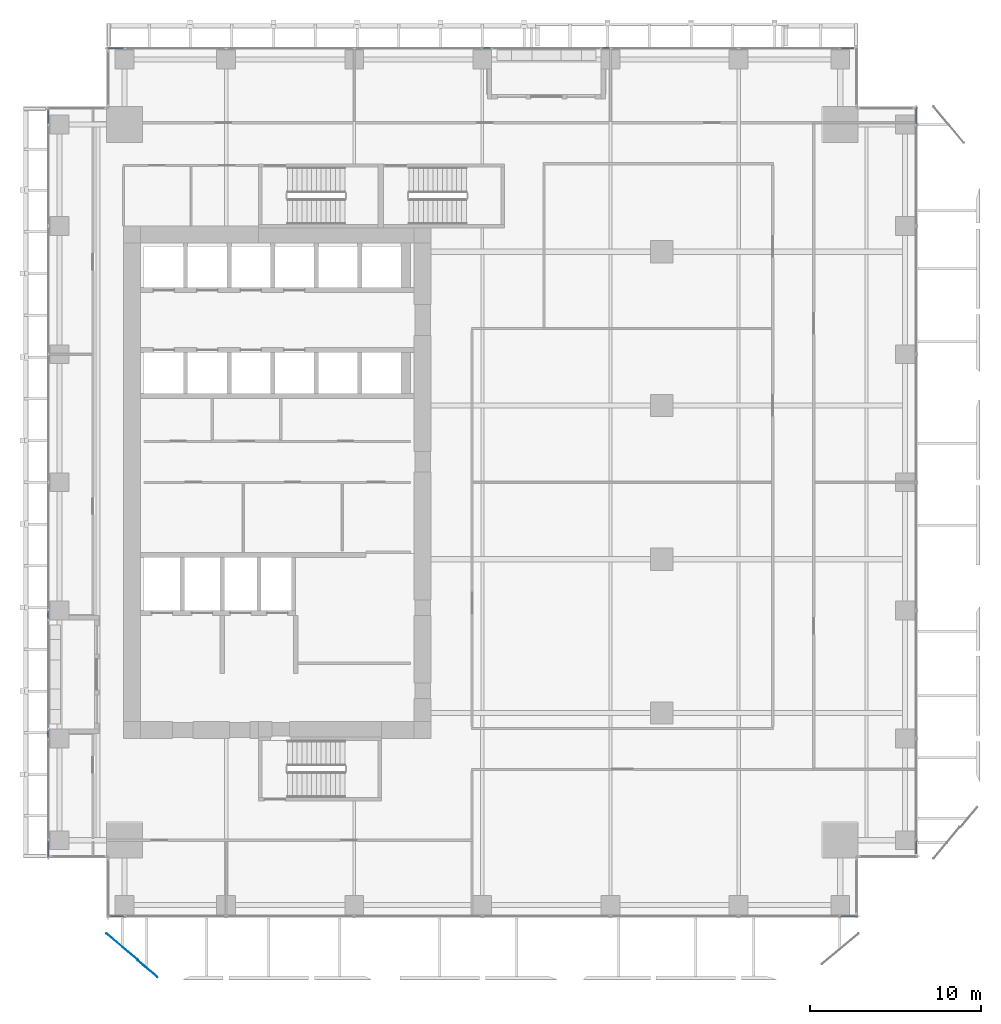
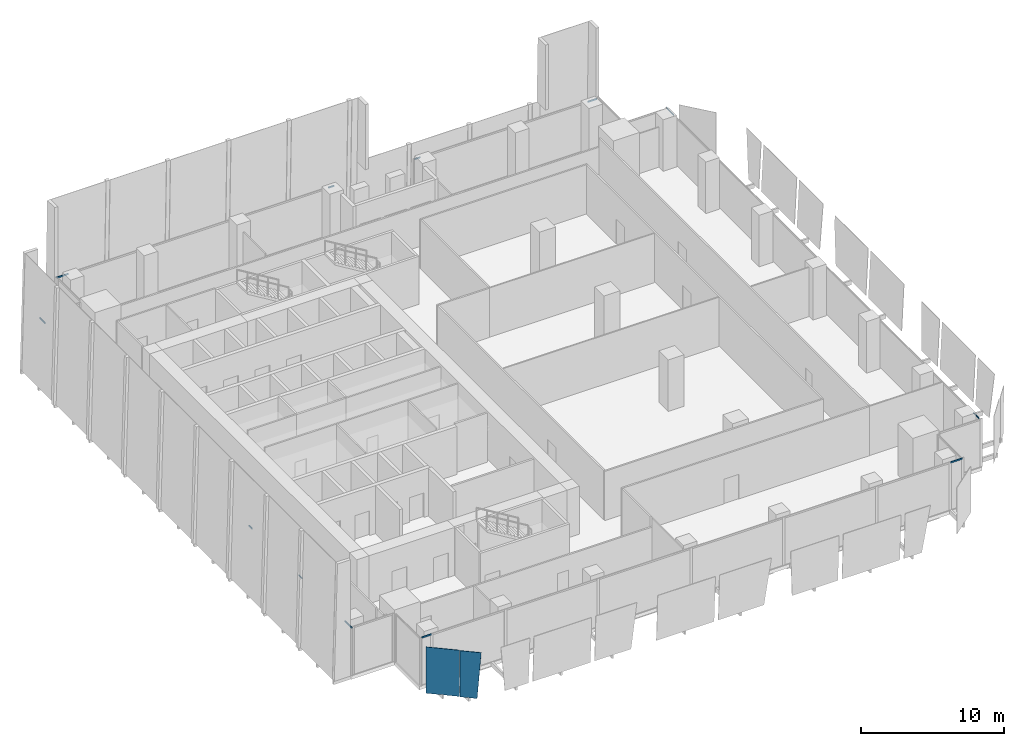
# One storey, part 22 of 34: 12 members, 2 plates, 6 elements without a shape of their own.
"""IFC4 building model written with IfcOpenShell, lengths in metres."""

from ifc_helpers import new_model, si_unit, direction, frame, origin, origin_2d, place, context, subcontext, project, spatial, polyline, hollow_rectangle, outline, extrude, source, transform, mapped, material, layer, layer_set, material_profile, profile_set, type_object, element, aggregate, save


model = new_model("IFC4")

# Units and contexts
model_context = context("Model", 3, precision=1e-05, world=origin(), true_north=direction((0.0, 1.0)))
body_context = subcontext(model_context, "Body", "Model", "MODEL_VIEW")
ifc_project = project(units=[si_unit("LENGTHUNIT", "METRE"), si_unit("AREAUNIT", "SQUARE_METRE"), si_unit("VOLUMEUNIT", "CUBIC_METRE"), si_unit("PLANEANGLEUNIT", "RADIAN"), si_unit("MASSUNIT", "GRAM", prefix="KILO")], contexts=[model_context])

# Site, building, storey
site_placement = place(None, origin())
site = spatial("IfcSite", under=ifc_project, at=site_placement, CompositionType="ELEMENT")
building_placement = place(site_placement, origin())
building = spatial("IfcBuilding", under=site, at=building_placement, Name="Khomas Fold Tower", CompositionType="ELEMENT")
storey_placement = place(building_placement, frame((0.0, 0.0, 154.300048828125)))
storey = spatial("IfcBuildingStorey", under=building, at=storey_placement, Name="L33", CompositionType="ELEMENT", Elevation=154.300048828125)

# Curtain wall, member
ifc_material_1 = material(Name="Aluminium framed double glazing", Category="aluminium")
curtain_wall_type = type_object("IfcCurtainWallType", Name="SK-Unitised clear-glass wall, growing floors CW1", PredefinedType="NOTDEFINED", material=ifc_material_1)
curtain_wall_1_placement = place(storey_placement, origin())
curtain_wall_1 = element("IfcCurtainWall", 1, at=curtain_wall_1_placement, inside=storey, type_object=curtain_wall_type, Name="CW1 run L33 00-0", PredefinedType="NOTDEFINED")
ifc_material_2 = material(Name="Aluminium", Category="aluminium")
ifc_material_profile = material_profile(ifc_material_2, hollow_rectangle(XDim=0.06005859375, YDim=0.1201171875, WallThickness=0.00390625, at=origin_2d()), Name="SK-Unitised clear-glass wall, growing floors transom CW1-T")
ifc_profile_set = profile_set([ifc_material_profile], Name="Aluminium")
member_type = type_object("IfcMemberType", Name="SK-Unitised clear-glass wall, growing floors transom CW1-T", PredefinedType="USERDEFINED", material=ifc_profile_set)
shared_shape_1 = source(origin(), body_context, "Body", "SweptSolid", [
    extrude(hollow_rectangle(XDim=0.06005859375, YDim=0.1201171875, WallThickness=0.00390625, at=origin_2d()), origin(), (0.0, 0.0, 1.0), 0.760009765625),
])
member_1_placement = place(storey_placement, frame((5.260009765625, 1.60009765625, 4.0400390625), z_axis=(1.0, 0.0, 0.0), x_axis=(0.0, 1.0, 0.0)))
member_1 = element("IfcMember", 2, at=member_1_placement, type_object=member_type, Name="CW1 transom 1", ObjectType="TRANSOM", PredefinedType="USERDEFINED", context=body_context, shape_type="MappedRepresentation", body=[
    mapped(shared_shape_1, transform((0.0, 0.0, 0.0))),
])

curtain_wall_2_placement = place(storey_placement, origin())
curtain_wall_2 = element("IfcCurtainWall", 3, at=curtain_wall_2_placement, inside=storey, type_object=curtain_wall_type, Name="CW1 run L33 03-0", PredefinedType="NOTDEFINED")
member_2_placement = place(storey_placement, frame((52.39990234375, 5.260009765625, 4.0400390625), z_axis=(0.0, 1.0, 0.0), x_axis=(-1.0, 0.0, 0.0)))
member_2 = element("IfcMember", 4, at=member_2_placement, type_object=member_type, Name="CW1 transom 1", ObjectType="TRANSOM", PredefinedType="USERDEFINED", context=body_context, shape_type="MappedRepresentation", body=[
    mapped(shared_shape_1, transform((0.0, 0.0, 0.0))),
])

curtain_wall_3_placement = place(storey_placement, origin())
curtain_wall_3 = element("IfcCurtainWall", 5, at=curtain_wall_3_placement, inside=storey, type_object=curtain_wall_type, Name="CW1 run L33 06-0", PredefinedType="NOTDEFINED")
member_3_placement = place(storey_placement, frame((48.739990234375, 52.39990234375, 4.0400390625), z_axis=(-1.0, 0.0, 0.0), x_axis=(0.0, -1.0, 0.0)))
member_3 = element("IfcMember", 6, at=member_3_placement, type_object=member_type, Name="CW1 transom 1", ObjectType="TRANSOM", PredefinedType="USERDEFINED", context=body_context, shape_type="MappedRepresentation", body=[
    mapped(shared_shape_1, transform((0.0, 0.0, 0.0))),
])

curtain_wall_4_placement = place(storey_placement, origin())
curtain_wall_4 = element("IfcCurtainWall", 7, at=curtain_wall_4_placement, inside=storey, type_object=curtain_wall_type, Name="CW1 run L33 09-0", PredefinedType="NOTDEFINED")
member_4_placement = place(storey_placement, frame((1.60009765625, 48.739990234375, 4.0400390625), z_axis=(0.0, -1.0, 0.0), x_axis=(1.0, 0.0, 0.0)))
member_4 = element("IfcMember", 8, at=member_4_placement, type_object=member_type, Name="CW1 transom 1", ObjectType="TRANSOM", PredefinedType="USERDEFINED", context=body_context, shape_type="MappedRepresentation", body=[
    mapped(shared_shape_1, transform((0.0, 0.0, 0.0))),
])

# Member
shared_shape_2 = source(origin(), body_context, "Body", "SweptSolid", [
    extrude(hollow_rectangle(XDim=0.06005859375, YDim=0.1201171875, WallThickness=0.00390625, at=origin_2d()), origin(), (0.0, 0.0, 1.0), 0.9599609375),
])
member_5_placement = place(storey_placement, frame((47.97998046875, 1.60009765625, 4.0400390625), z_axis=(1.0, 0.0, 0.0), x_axis=(0.0, 1.0, 0.0)))
member_5 = element("IfcMember", 9, at=member_5_placement, type_object=member_type, Name="CW1 transom 8", ObjectType="TRANSOM", PredefinedType="USERDEFINED", context=body_context, shape_type="MappedRepresentation", body=[
    mapped(shared_shape_2, transform((0.0, 0.0, 0.0))),
])

aggregate(curtain_wall_1, [member_1, member_5])

member_6_placement = place(storey_placement, frame((52.39990234375, 47.97998046875, 4.0400390625), z_axis=(0.0, 1.0, 0.0), x_axis=(-1.0, 0.0, 0.0)))
member_6 = element("IfcMember", 10, at=member_6_placement, type_object=member_type, Name="CW1 transom 8", ObjectType="TRANSOM", PredefinedType="USERDEFINED", context=body_context, shape_type="MappedRepresentation", body=[
    mapped(shared_shape_2, transform((0.0, 0.0, 0.0))),
])

aggregate(curtain_wall_2, [member_2, member_6])

# Curtain wall, member
curtain_wall_5_placement = place(storey_placement, origin())
curtain_wall_5 = element("IfcCurtainWall", 11, at=curtain_wall_5_placement, inside=storey, type_object=curtain_wall_type, Name="CW1 run L33 06-1", PredefinedType="NOTDEFINED")
member_7_placement = place(storey_placement, frame((6.02001953125, 52.39990234375, 4.0400390625), z_axis=(-1.0, 0.0, 0.0), x_axis=(0.0, -1.0, 0.0)))
member_7 = element("IfcMember", 12, at=member_7_placement, type_object=member_type, Name="CW1 transom 5", ObjectType="TRANSOM", PredefinedType="USERDEFINED", context=body_context, shape_type="MappedRepresentation", body=[
    mapped(shared_shape_2, transform((0.0, 0.0, 0.0))),
])

curtain_wall_6_placement = place(storey_placement, origin())
curtain_wall_6 = element("IfcCurtainWall", 13, at=curtain_wall_6_placement, inside=storey, type_object=curtain_wall_type, Name="CW1 run L33 09-1", PredefinedType="NOTDEFINED")
member_8_placement = place(storey_placement, frame((1.60009765625, 6.02001953125, 4.0400390625), z_axis=(0.0, -1.0, 0.0), x_axis=(1.0, 0.0, 0.0)))
member_8 = element("IfcMember", 14, at=member_8_placement, type_object=member_type, Name="CW1 transom 3", ObjectType="TRANSOM", PredefinedType="USERDEFINED", context=body_context, shape_type="MappedRepresentation", body=[
    mapped(shared_shape_2, transform((0.0, 0.0, 0.0))),
])

# Member
shared_shape_3 = source(origin(), body_context, "Body", "SweptSolid", [
    extrude(hollow_rectangle(XDim=0.06005859375, YDim=0.1201171875, WallThickness=0.00390625, at=origin_2d()), origin(), (0.0, 0.0, 1.0), 0.4599609375),
])
member_9_placement = place(storey_placement, frame((34.469970703125, 52.39990234375, 4.0400390625), z_axis=(-1.0, 0.0, 0.0), x_axis=(0.0, -1.0, 0.0)))
member_9 = element("IfcMember", 15, at=member_9_placement, type_object=member_type, Name="CW1 transom 4", ObjectType="TRANSOM", PredefinedType="USERDEFINED", context=body_context, shape_type="MappedRepresentation", body=[
    mapped(shared_shape_3, transform((0.0, 0.0, 0.0))),
])

aggregate(curtain_wall_3, [member_3, member_9])

member_10_placement = place(storey_placement, frame((27.489990234375, 52.39990234375, 4.0400390625), z_axis=(-1.0, 0.0, 0.0), x_axis=(0.0, -1.0, 0.0)))
member_10 = element("IfcMember", 16, at=member_10_placement, type_object=member_type, Name="CW1 transom 1", ObjectType="TRANSOM", PredefinedType="USERDEFINED", context=body_context, shape_type="MappedRepresentation", body=[
    mapped(shared_shape_3, transform((0.0, 0.0, 0.0))),
])

aggregate(curtain_wall_5, [member_10, member_7])

member_11_placement = place(storey_placement, frame((1.60009765625, 19.469970703125, 4.0400390625), z_axis=(0.0, -1.0, 0.0), x_axis=(1.0, 0.0, 0.0)))
member_11 = element("IfcMember", 17, at=member_11_placement, type_object=member_type, Name="CW1 transom 6", ObjectType="TRANSOM", PredefinedType="USERDEFINED", context=body_context, shape_type="MappedRepresentation", body=[
    mapped(shared_shape_3, transform((0.0, 0.0, 0.0))),
])

aggregate(curtain_wall_4, [member_4, member_11])

member_12_placement = place(storey_placement, frame((1.60009765625, 12.489990234375, 4.0400390625), z_axis=(0.0, -1.0, 0.0), x_axis=(1.0, 0.0, 0.0)))
member_12 = element("IfcMember", 18, at=member_12_placement, type_object=member_type, Name="CW1 transom 1", ObjectType="TRANSOM", PredefinedType="USERDEFINED", context=body_context, shape_type="MappedRepresentation", body=[
    mapped(shared_shape_3, transform((0.0, 0.0, 0.0))),
])

aggregate(curtain_wall_6, [member_12, member_8])

# Plates
ifc_material_3 = material(Name="Clear laminated glass", Category="glass")
ifc_layer = layer(ifc_material_3, 0.0400390625)
ifc_layer_set = layer_set([ifc_layer], Name="Clear laminated glass")
plate_type = type_object("IfcPlateType", Name="SK-Clear laminated glass leaf", PredefinedType="SHEET", material=ifc_layer_set)
plate_1_placement = place(storey_placement, frame((5.0, 0.60009765625, 0.0), z_axis=(0.640204559822, 0.768204479018, 0.0), x_axis=(0.0, 0.0, 1.0)))
element("IfcPlate", 19, at=plate_1_placement, inside=storey, type_object=plate_type, Name="OUTER SKIN glass L33 SG098-1", PredefinedType="SHEET", context=body_context, shape_type="SweptSolid", body=[
    extrude(outline(polyline([(0.0, 0.0), (3.949951171875, 0.0), (3.949951171875, 2.3822799462709954), (0.0, 2.3822799462709954), (0.0, 0.0)])), origin(), (0.0, 0.0, -1.0), 0.0400390625),
])
plate_2_placement = place(storey_placement, frame((7.78173828125, -1.77001953125, 0.0), z_axis=(0.640193186885, 0.768213956743, 1.1446741e-05), x_axis=(-0.768213956794, 0.640193186927, 4.24e-10)))
element("IfcPlate", 20, at=plate_2_placement, inside=storey, type_object=plate_type, Name="OUTER SKIN glass L33 SG099-2", PredefinedType="SHEET", context=body_context, shape_type="SweptSolid", body=[
    extrude(outline(polyline([(0.0, 0.0), (1.2200076623802574, 0.0), (1.2200076640559125, 3.9499511716162226), (-0.2927718298103568, 3.9499511727755303), (0.0, 0.0)])), origin(), (0.0, 0.0, -1.0), 0.0400390625),
])

save(model, "model.ifc")
